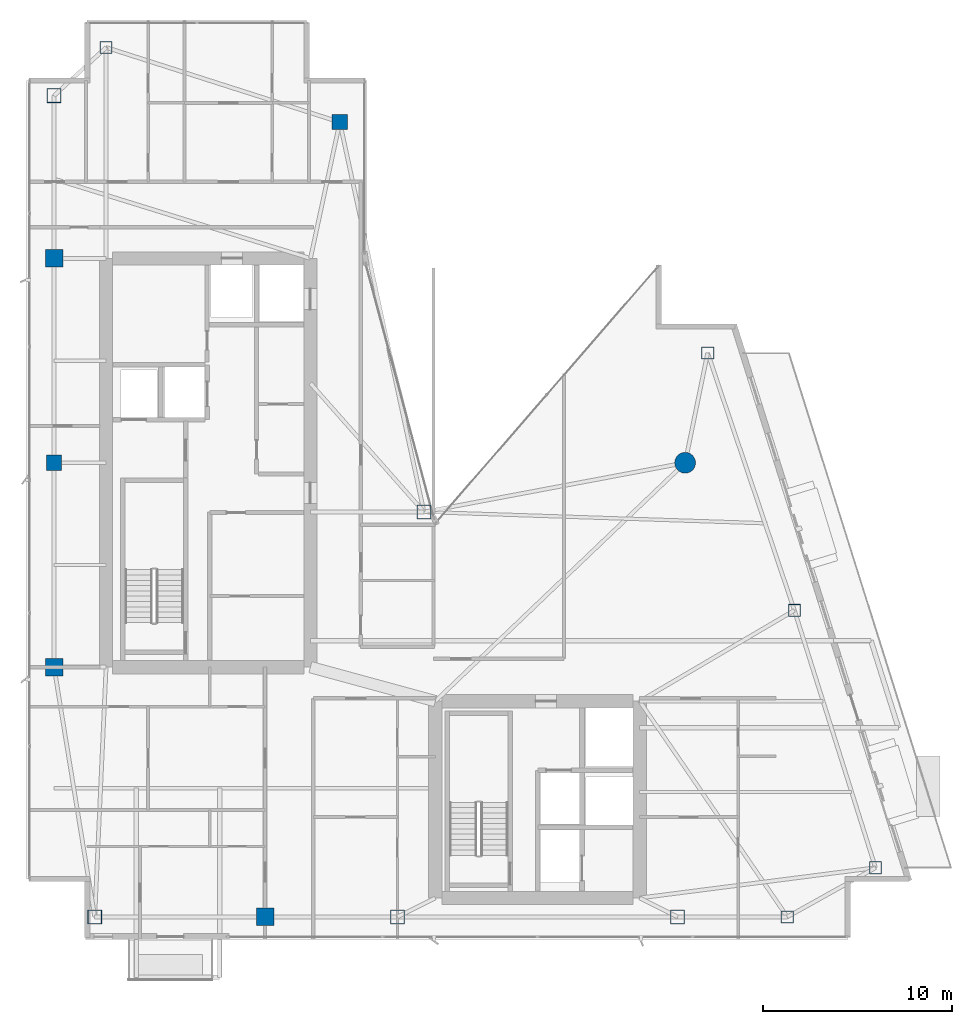
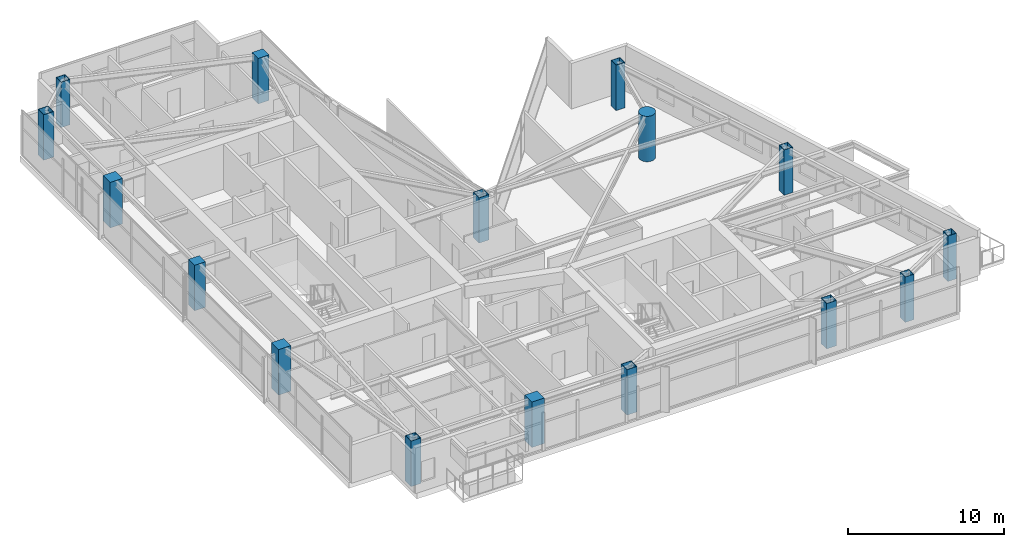
# One storey, part 1 of 28: 16 columns.
"""IFC4 building model written with IfcOpenShell, lengths in metres."""

from ifc_helpers import new_model, si_unit, direction, frame, origin, origin_2d, place, context, subcontext, project, spatial, rectangle, hollow_rectangle, circle, extrude, material, material_profile, profile_set, type_object, element, save


model = new_model("IFC4")

# Units and contexts
model_context = context("Model", 3, precision=1e-05, world=origin(), true_north=direction((0.0, 1.0)))
body_context = subcontext(model_context, "Body", "Model", "MODEL_VIEW")
ifc_project = project(units=[si_unit("LENGTHUNIT", "METRE"), si_unit("AREAUNIT", "SQUARE_METRE"), si_unit("VOLUMEUNIT", "CUBIC_METRE"), si_unit("PLANEANGLEUNIT", "RADIAN"), si_unit("MASSUNIT", "GRAM", prefix="KILO")], contexts=[model_context])

# Site, building, storey
site_placement = place(None, origin())
site = spatial("IfcSite", under=ifc_project, at=site_placement, CompositionType="ELEMENT")
building_placement = place(site_placement, origin())
building = spatial("IfcBuilding", under=site, at=building_placement, Name="Calvorn Quay Hotel", CompositionType="ELEMENT")
storey_placement = place(building_placement, frame((0.0, 0.0, 243.800048828125)))
storey = spatial("IfcBuildingStorey", under=building, at=storey_placement, Name="L60", CompositionType="ELEMENT", Elevation=243.800048828125)

# Columns
ifc_material_1 = material(Name="Concrete C45", Category="concrete")
ifc_material_profile_1 = material_profile(ifc_material_1, rectangle(XDim=0.800048828125, YDim=0.800048828125, at=origin_2d()), Name="RC800x800")
ifc_profile_set_1 = profile_set([ifc_material_profile_1], Name="Concrete C45")
column_type_1 = type_object("IfcColumnType", Name="COL-RC-800", PredefinedType="COLUMN", material=ifc_profile_set_1)
for number, where, z_axis, x_axis, name in (
    (1, (1.449951171875, 27.60009765625, 0.0), (0.0, 0.0, 1.0), (1.0, 0.0, 0.0), "Column C-W3 (L60)"),
    (2, (16.550048828125, 45.60009765625, 0.0), (0.0, 0.0, 1.0), (1.0, 0.0, 0.0), "Column C-IC1 (L60)"),
):
    element("IfcColumn", number, at=place(storey_placement, frame(where, z_axis=z_axis, x_axis=x_axis)), inside=storey, type_object=column_type_1, Name=name, PredefinedType="COLUMN", context=body_context, shape_type="SweptSolid", body=[
        extrude(rectangle(XDim=0.800048828125, YDim=0.800048828125, at=origin_2d()), origin(), (0.0, 0.0, 1.0), 3.56005859375),
    ])
ifc_material_2 = material(Name="Concrete C45", Category="concrete")
ifc_material_profile_2 = material_profile(ifc_material_2, rectangle(XDim=0.919921875, YDim=0.919921875, at=origin_2d()), Name="RC920x920")
ifc_profile_set_2 = profile_set([ifc_material_profile_2], Name="Concrete C45")
column_type_2 = type_object("IfcColumnType", Name="COL-RC-920", PredefinedType="COLUMN", material=ifc_profile_set_2)
for number, where, z_axis, x_axis, name in (
    (3, (1.449951171875, 16.800048828125, 0.0), (0.0, 0.0, 1.0), (1.0, 0.0, 0.0), "Column C-W2 (L60)"),
    (4, (1.449951171875, 38.39990234375, 0.0), (0.0, 0.0, 1.0), (1.0, 0.0, 0.0), "Column C-W4 (L60)"),
    (5, (12.60009765625, 3.60009765625, 0.0), (0.0, 0.0, 1.0), (1.0, 0.0, 0.0), "Column C-S1 (L60)"),
):
    element("IfcColumn", number, at=place(storey_placement, frame(where, z_axis=z_axis, x_axis=x_axis)), inside=storey, type_object=column_type_2, Name=name, PredefinedType="COLUMN", context=body_context, shape_type="SweptSolid", body=[
        extrude(rectangle(XDim=0.919921875, YDim=0.919921875, at=origin_2d()), origin(), (0.0, 0.0, 1.0), 3.56005859375),
    ])
ifc_material_3 = material(Name="Concrete C50", Category="concrete")
ifc_material_profile_3 = material_profile(ifc_material_3, circle(Radius=0.550048828125, at=origin_2d()), Name="RCD1100")
ifc_profile_set_3 = profile_set([ifc_material_profile_3], Name="Concrete C50")
column_type_3 = type_object("IfcColumnType", Name="COL-RC-D1100", PredefinedType="COLUMN", material=ifc_profile_set_3)
column_placement = place(storey_placement, frame((34.800048828125, 27.60009765625, 0.0), z_axis=(0.0, 0.0, 1.0), x_axis=(1.0, 0.0, 0.0)))
element("IfcColumn", 6, at=column_placement, inside=storey, type_object=column_type_3, Name="Column C-NC1 (L60)", PredefinedType="COLUMN", context=body_context, shape_type="SweptSolid", body=[
    extrude(circle(Radius=0.550048828125, at=origin_2d()), origin(), (0.0, 0.0, 1.0), 3.56005859375),
])
ifc_material_4 = material(Name="Steel Q390GJC", Category="steel")
ifc_material_profile_4 = material_profile(ifc_material_4, hollow_rectangle(XDim=0.75, YDim=0.75, WallThickness=0.031982421875, at=origin_2d()), Name="BOX750x750x32")
ifc_profile_set_4 = profile_set([ifc_material_profile_4], Name="Steel Q390GJC")
column_type_4 = type_object("IfcColumnType", Name="COL-STL-Z3", PredefinedType="COLUMN", material=ifc_profile_set_4)
for number, where, z_axis, x_axis, name in (
    (7, (3.60009765625, 3.60009765625, 0.0), (0.0, 0.0, 1.0), (1.0, 0.0, 0.0), "Column C-W1 (L60)"),
    (8, (1.449951171875, 47.0, 0.0), (0.0, 0.0, 1.0), (1.0, 0.0, 0.0), "Column C-W5 (L60)"),
    (9, (21.0, 25.0, 0.0), (0.0, 0.0, 1.0), (1.0, 0.0, 0.0), "Column C-IC2 (L60)"),
    (10, (19.60009765625, 3.60009765625, 0.0), (0.0, 0.0, 1.0), (1.0, 0.0, 0.0), "Column C-S2 (L60)"),
    (11, (34.39990234375, 3.60009765625, 0.0), (0.0, 0.0, 1.0), (1.0, 0.0, 0.0), "Column C-S3 (L60)"),
):
    element("IfcColumn", number, at=place(storey_placement, frame(where, z_axis=z_axis, x_axis=x_axis)), inside=storey, type_object=column_type_4, Name=name, PredefinedType="COLUMN", context=body_context, shape_type="SweptSolid", body=[
        extrude(hollow_rectangle(XDim=0.75, YDim=0.75, WallThickness=0.031982421875, at=origin_2d()), origin(), (0.0, 0.0, 1.0), 3.56005859375),
    ])
ifc_material_5 = material(Name="Steel Q355B", Category="steel")
ifc_material_profile_5 = material_profile(ifc_material_5, hollow_rectangle(XDim=0.64990234375, YDim=0.64990234375, WallThickness=0.028076171875, at=origin_2d()), Name="BOX650x650x28")
ifc_profile_set_5 = profile_set([ifc_material_profile_5], Name="Steel Q355B")
column_type_5 = type_object("IfcColumnType", Name="COL-STL-Z4", PredefinedType="COLUMN", material=ifc_profile_set_5)
for number, where, z_axis, x_axis, name in (
    (12, (4.199951171875, 49.550048828125, 0.0), (0.0, 0.0, 1.0), (1.0, 0.0, 0.0), "Column C-NW1 (L60)"),
    (13, (40.199951171875, 3.60009765625, 0.0), (0.0, 0.0, 1.0), (1.0, 0.0, 0.0), "Column C-S4 (L60)"),
    (14, (44.861083984375, 6.199951171875, 0.0), (0.0, 0.0, 1.0), (1.0, 0.0, 0.0), "Column C-ET1 (L60)"),
    (15, (40.575927734375, 19.800048828125, 0.0), (0.0, 0.0, 1.0), (1.0, 0.0, 0.0), "Column C-ET2 (L60)"),
    (16, (35.990966796875, 33.39990234375, 0.0), (0.0, 0.0, 1.0), (1.0, 0.0, 0.0), "Column C-ET3 (L60)"),
):
    element("IfcColumn", number, at=place(storey_placement, frame(where, z_axis=z_axis, x_axis=x_axis)), inside=storey, type_object=column_type_5, Name=name, PredefinedType="COLUMN", context=body_context, shape_type="SweptSolid", body=[
        extrude(hollow_rectangle(XDim=0.64990234375, YDim=0.64990234375, WallThickness=0.028076171875, at=origin_2d()), origin(), (0.0, 0.0, 1.0), 3.56005859375),
    ])

save(model, "model.ifc")
